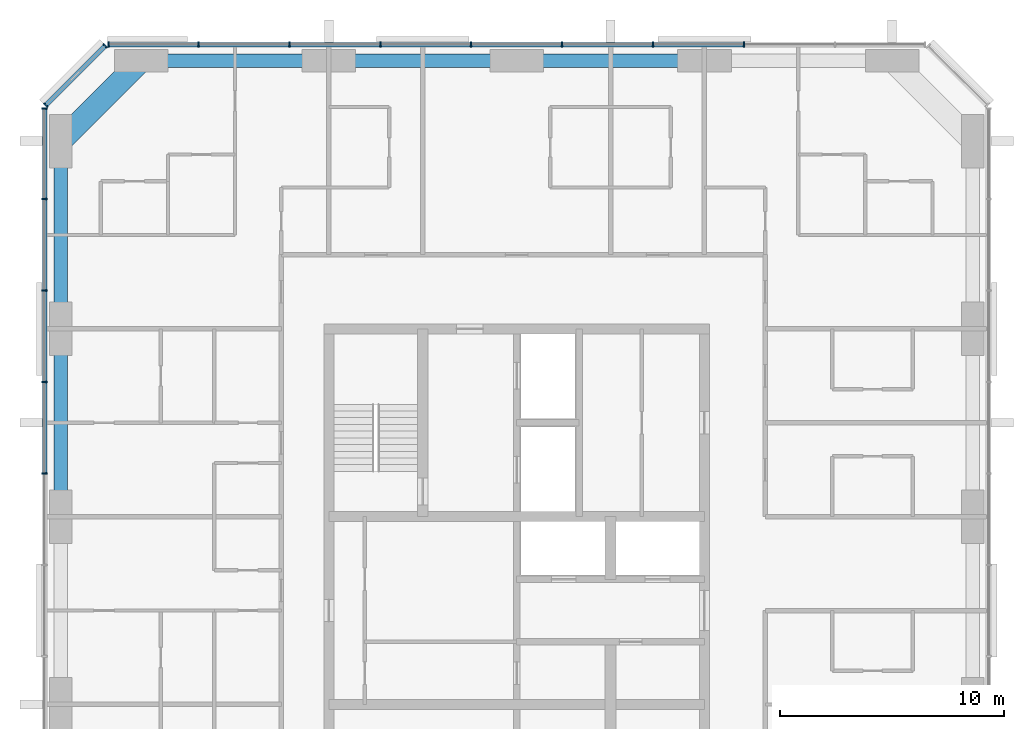
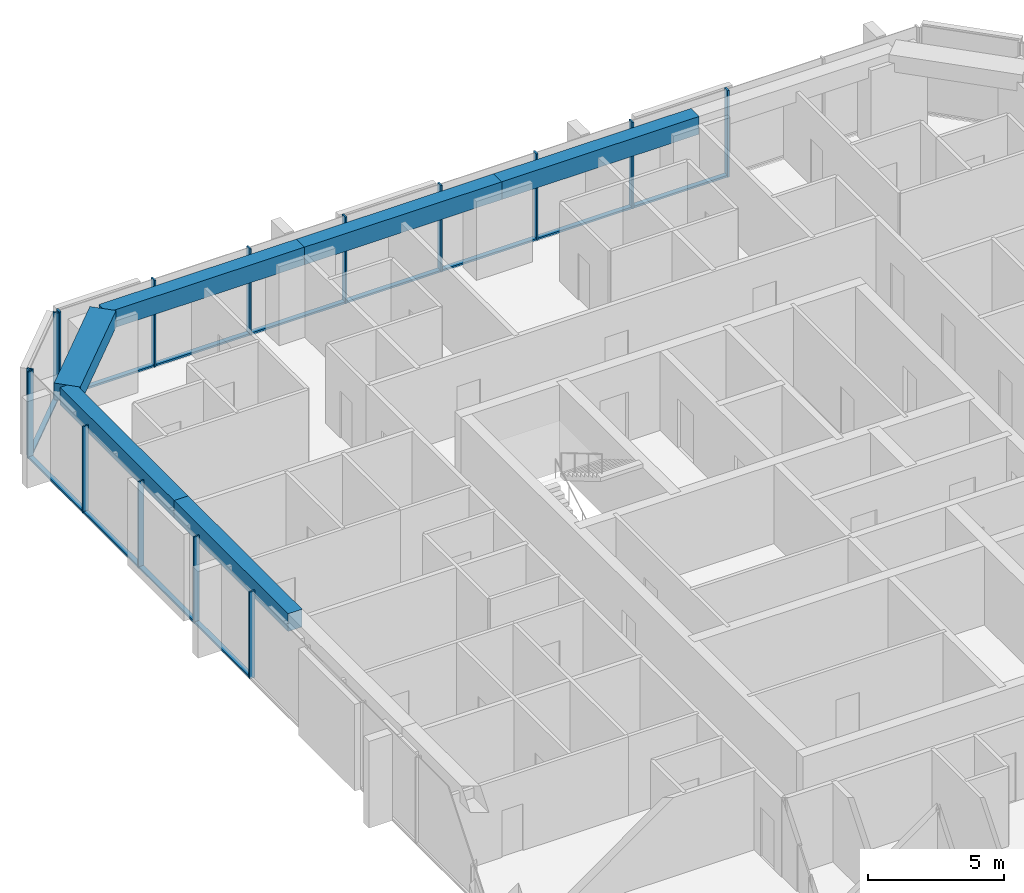
# One storey, part 4 of 12: 27 members, 6 beams, 3 elements without a shape of their own.
"""IFC4 building model written with IfcOpenShell, lengths in metres."""

from ifc_helpers import new_model, si_unit, direction, frame, origin, origin_2d, place, context, subcontext, project, spatial, rectangle, extrude, material, material_profile, profile_set, type_object, element, aggregate, save


model = new_model("IFC4")

# Units and contexts
model_context = context("Model", 3, precision=1e-05, world=origin(), true_north=direction((0.0, 1.0)))
body_context = subcontext(model_context, "Body", "Model", "MODEL_VIEW")
ifc_project = project(units=[si_unit("LENGTHUNIT", "METRE"), si_unit("AREAUNIT", "SQUARE_METRE"), si_unit("VOLUMEUNIT", "CUBIC_METRE"), si_unit("PLANEANGLEUNIT", "RADIAN"), si_unit("MASSUNIT", "GRAM", prefix="KILO")], contexts=[model_context])

# Site, building, storey
site_placement = place(None, origin())
site = spatial("IfcSite", under=ifc_project, at=site_placement, CompositionType="ELEMENT")
building_placement = place(site_placement, origin())
building = spatial("IfcBuilding", under=site, at=building_placement, Name="Dunama Terrace Hotel", CompositionType="ELEMENT")
storey_placement = place(building_placement, frame((0.0, 0.0, 260.699951171875)))
storey = spatial("IfcBuildingStorey", under=building, at=storey_placement, Name="L67", CompositionType="ELEMENT", Elevation=260.699951171875)

# Curtain wall, members
ifc_material_1 = material(Name="Aluminium curtain wall system", Category="aluminium")
curtain_wall_type = type_object("IfcCurtainWallType", Name="Unitised fritted glass wall CW-D", PredefinedType="NOTDEFINED", material=ifc_material_1)
curtain_wall_1_placement = place(storey_placement, origin())
curtain_wall_1 = element("IfcCurtainWall", 1, at=curtain_wall_1_placement, inside=storey, type_object=curtain_wall_type, Name="Unitised fritted glass wall CW-D L67", PredefinedType="NOTDEFINED")
ifc_material_2 = material(Name="Aluminium mullion", Category="aluminium")
ifc_material_profile_1 = material_profile(ifc_material_2, rectangle(XDim=0.070068359375, YDim=0.239990234375, at=origin_2d()), Name="CWD MULLION 70X240")
ifc_profile_set_1 = profile_set([ifc_material_profile_1], Name="Aluminium mullion")
member_type_1 = type_object("IfcMemberType", Name="CWD mullion 70x240", PredefinedType="MULLION", material=ifc_profile_set_1)
member_1_placement = place(storey_placement, frame((43.76708984375, 54.719970703125, 0.0), z_axis=(0.0, 0.0, 1.0), x_axis=(-1.0, 0.0, 0.0)))
member_1 = element("IfcMember", 2, at=member_1_placement, type_object=member_type_1, Name="CWD mullion", PredefinedType="MULLION", context=body_context, shape_type="SweptSolid", body=[
    extrude(rectangle(XDim=0.070068359375, YDim=0.239990234375, at=origin_2d()), origin(), (0.0, 0.0, 1.0), 3.900146484375),
])
member_2_placement = place(storey_placement, frame((39.699951171875, 54.719970703125, 0.0), z_axis=(0.0, 0.0, 1.0), x_axis=(-1.0, 0.0, 0.0)))
member_2 = element("IfcMember", 3, at=member_2_placement, type_object=member_type_1, Name="CWD mullion", PredefinedType="MULLION", context=body_context, shape_type="SweptSolid", body=[
    extrude(rectangle(XDim=0.070068359375, YDim=0.239990234375, at=origin_2d()), origin(), (0.0, 0.0, 1.0), 3.900146484375),
])
member_3_placement = place(storey_placement, frame((35.633056640625, 54.719970703125, 0.0), z_axis=(0.0, 0.0, 1.0), x_axis=(-1.0, 0.0, 0.0)))
member_3 = element("IfcMember", 4, at=member_3_placement, type_object=member_type_1, Name="CWD mullion", PredefinedType="MULLION", context=body_context, shape_type="SweptSolid", body=[
    extrude(rectangle(XDim=0.070068359375, YDim=0.239990234375, at=origin_2d()), origin(), (0.0, 0.0, 1.0), 3.900146484375),
])
member_4_placement = place(storey_placement, frame((31.56689453125, 54.719970703125, 0.0), z_axis=(0.0, 0.0, 1.0), x_axis=(-1.0, 0.0, 0.0)))
member_4 = element("IfcMember", 5, at=member_4_placement, type_object=member_type_1, Name="CWD mullion", PredefinedType="MULLION", context=body_context, shape_type="SweptSolid", body=[
    extrude(rectangle(XDim=0.070068359375, YDim=0.239990234375, at=origin_2d()), origin(), (0.0, 0.0, 1.0), 3.900146484375),
])
member_5_placement = place(storey_placement, frame((27.5, 54.719970703125, 0.0), z_axis=(0.0, 0.0, 1.0), x_axis=(-1.0, 0.0, 0.0)))
member_5 = element("IfcMember", 6, at=member_5_placement, type_object=member_type_1, Name="CWD mullion", PredefinedType="MULLION", context=body_context, shape_type="SweptSolid", body=[
    extrude(rectangle(XDim=0.070068359375, YDim=0.239990234375, at=origin_2d()), origin(), (0.0, 0.0, 1.0), 3.900146484375),
])
member_6_placement = place(storey_placement, frame((23.43310546875, 54.719970703125, 0.0), z_axis=(0.0, 0.0, 1.0), x_axis=(-1.0, 0.0, 0.0)))
member_6 = element("IfcMember", 7, at=member_6_placement, type_object=member_type_1, Name="CWD mullion", PredefinedType="MULLION", context=body_context, shape_type="SweptSolid", body=[
    extrude(rectangle(XDim=0.070068359375, YDim=0.239990234375, at=origin_2d()), origin(), (0.0, 0.0, 1.0), 3.900146484375),
])
member_7_placement = place(storey_placement, frame((19.366943359375, 54.719970703125, 0.0), z_axis=(0.0, 0.0, 1.0), x_axis=(-1.0, 0.0, 0.0)))
member_7 = element("IfcMember", 8, at=member_7_placement, type_object=member_type_1, Name="CWD mullion", PredefinedType="MULLION", context=body_context, shape_type="SweptSolid", body=[
    extrude(rectangle(XDim=0.070068359375, YDim=0.239990234375, at=origin_2d()), origin(), (0.0, 0.0, 1.0), 3.900146484375),
])
member_8_placement = place(storey_placement, frame((15.3349609375, 54.719970703125, 0.0), z_axis=(0.0, 0.0, 1.0), x_axis=(-1.0, 0.0, 0.0)))
member_8 = element("IfcMember", 9, at=member_8_placement, type_object=member_type_1, Name="CWD mullion", PredefinedType="MULLION", context=body_context, shape_type="SweptSolid", body=[
    extrude(rectangle(XDim=0.070068359375, YDim=0.239990234375, at=origin_2d()), origin(), (0.0, 0.0, 1.0), 3.900146484375),
])

curtain_wall_2_placement = place(storey_placement, origin())
curtain_wall_2 = element("IfcCurtainWall", 10, at=curtain_wall_2_placement, inside=storey, type_object=curtain_wall_type, Name="Unitised fritted glass wall CW-D L67", PredefinedType="NOTDEFINED")
member_9_placement = place(storey_placement, frame((15.18994140625, 54.659912109375, 0.0), z_axis=(0.0, 0.0, 1.0), x_axis=(-0.707106781187, -0.707106781187, 0.0)))
member_9 = element("IfcMember", 11, at=member_9_placement, type_object=member_type_1, Name="CWD mullion", PredefinedType="MULLION", context=body_context, shape_type="SweptSolid", body=[
    extrude(rectangle(XDim=0.070068359375, YDim=0.239990234375, at=origin_2d()), origin(), (0.0, 0.0, 1.0), 3.900146484375),
])
member_10_placement = place(storey_placement, frame((12.5400390625, 52.010009765625, 0.0), z_axis=(0.0, 0.0, 1.0), x_axis=(-0.707106781187, -0.707106781187, 0.0)))
member_10 = element("IfcMember", 12, at=member_10_placement, type_object=member_type_1, Name="CWD mullion", PredefinedType="MULLION", context=body_context, shape_type="SweptSolid", body=[
    extrude(rectangle(XDim=0.070068359375, YDim=0.239990234375, at=origin_2d()), origin(), (0.0, 0.0, 1.0), 3.900146484375),
])

curtain_wall_3_placement = place(storey_placement, origin())
curtain_wall_3 = element("IfcCurtainWall", 13, at=curtain_wall_3_placement, inside=storey, type_object=curtain_wall_type, Name="Unitised fritted glass wall CW-D L67", PredefinedType="NOTDEFINED")
member_11_placement = place(storey_placement, frame((12.47998046875, 51.864990234375, 0.0), z_axis=(0.0, 0.0, 1.0), x_axis=(0.0, -1.0, 0.0)))
member_11 = element("IfcMember", 14, at=member_11_placement, type_object=member_type_1, Name="CWD mullion", PredefinedType="MULLION", context=body_context, shape_type="SweptSolid", body=[
    extrude(rectangle(XDim=0.070068359375, YDim=0.239990234375, at=origin_2d()), origin(), (0.0, 0.0, 1.0), 3.900146484375),
])
member_12_placement = place(storey_placement, frame((12.47998046875, 47.80908203125, 0.0), z_axis=(0.0, 0.0, 1.0), x_axis=(0.0, -1.0, 0.0)))
member_12 = element("IfcMember", 15, at=member_12_placement, type_object=member_type_1, Name="CWD mullion", PredefinedType="MULLION", context=body_context, shape_type="SweptSolid", body=[
    extrude(rectangle(XDim=0.070068359375, YDim=0.239990234375, at=origin_2d()), origin(), (0.0, 0.0, 1.0), 3.900146484375),
])
member_13_placement = place(storey_placement, frame((12.47998046875, 43.718017578125, 0.0), z_axis=(0.0, 0.0, 1.0), x_axis=(0.0, -1.0, 0.0)))
member_13 = element("IfcMember", 16, at=member_13_placement, type_object=member_type_1, Name="CWD mullion", PredefinedType="MULLION", context=body_context, shape_type="SweptSolid", body=[
    extrude(rectangle(XDim=0.070068359375, YDim=0.239990234375, at=origin_2d()), origin(), (0.0, 0.0, 1.0), 3.900146484375),
])
member_14_placement = place(storey_placement, frame((12.47998046875, 39.626953125, 0.0), z_axis=(0.0, 0.0, 1.0), x_axis=(0.0, -1.0, 0.0)))
member_14 = element("IfcMember", 17, at=member_14_placement, type_object=member_type_1, Name="CWD mullion", PredefinedType="MULLION", context=body_context, shape_type="SweptSolid", body=[
    extrude(rectangle(XDim=0.070068359375, YDim=0.239990234375, at=origin_2d()), origin(), (0.0, 0.0, 1.0), 3.900146484375),
])
member_15_placement = place(storey_placement, frame((12.47998046875, 35.535888671875, 0.0), z_axis=(0.0, 0.0, 1.0), x_axis=(0.0, -1.0, 0.0)))
member_15 = element("IfcMember", 18, at=member_15_placement, type_object=member_type_1, Name="CWD mullion", PredefinedType="MULLION", context=body_context, shape_type="SweptSolid", body=[
    extrude(rectangle(XDim=0.070068359375, YDim=0.239990234375, at=origin_2d()), origin(), (0.0, 0.0, 1.0), 3.900146484375),
])

# Member
ifc_material_3 = material(Name="Aluminium transom", Category="aluminium")
ifc_material_profile_2 = material_profile(ifc_material_3, rectangle(XDim=0.199951171875, YDim=0.0849609375, at=origin_2d()), Name="CWD TRANSOM 200X85")
ifc_profile_set_2 = profile_set([ifc_material_profile_2], Name="Aluminium transom")
member_type_2 = type_object("IfcMemberType", Name="CWD transom 200x85", PredefinedType="USERDEFINED", material=ifc_profile_set_2)
member_16_placement = place(storey_placement, frame((43.73193359375, 54.719970703125, 0.04248046875), z_axis=(-1.0, 0.0, 0.0), x_axis=(0.0, -1.0, 0.0)))
member_16 = element("IfcMember", 19, at=member_16_placement, type_object=member_type_2, Name="CWD transom", ObjectType="TRANSOM", PredefinedType="USERDEFINED", context=body_context, shape_type="SweptSolid", body=[
    extrude(rectangle(XDim=0.199951171875, YDim=0.0849609375, at=origin_2d()), origin(), (0.0, 0.0, 1.0), 3.996826171875),
])

member_17_placement = place(storey_placement, frame((39.6650390625, 54.719970703125, 0.04248046875), z_axis=(-1.0, 0.0, 0.0), x_axis=(0.0, -1.0, 0.0)))
member_17 = element("IfcMember", 20, at=member_17_placement, type_object=member_type_2, Name="CWD transom", ObjectType="TRANSOM", PredefinedType="USERDEFINED", context=body_context, shape_type="SweptSolid", body=[
    extrude(rectangle(XDim=0.199951171875, YDim=0.0849609375, at=origin_2d()), origin(), (0.0, 0.0, 1.0), 3.9970703125),
])

member_18_placement = place(storey_placement, frame((35.597900390625, 54.719970703125, 0.04248046875), z_axis=(-1.0, 0.0, 0.0), x_axis=(0.0, -1.0, 0.0)))
member_18 = element("IfcMember", 21, at=member_18_placement, type_object=member_type_2, Name="CWD transom", ObjectType="TRANSOM", PredefinedType="USERDEFINED", context=body_context, shape_type="SweptSolid", body=[
    extrude(rectangle(XDim=0.199951171875, YDim=0.0849609375, at=origin_2d()), origin(), (0.0, 0.0, 1.0), 3.995849609375),
])

member_19_placement = place(storey_placement, frame((31.531982421875, 54.719970703125, 0.04248046875), z_axis=(-1.0, 0.0, 0.0), x_axis=(0.0, -1.0, 0.0)))
member_19 = element("IfcMember", 22, at=member_19_placement, type_object=member_type_2, Name="CWD transom", ObjectType="TRANSOM", PredefinedType="USERDEFINED", context=body_context, shape_type="SweptSolid", body=[
    extrude(rectangle(XDim=0.199951171875, YDim=0.0849609375, at=origin_2d()), origin(), (0.0, 0.0, 1.0), 3.9970703125),
])

member_20_placement = place(storey_placement, frame((27.465087890625, 54.719970703125, 0.04248046875), z_axis=(-1.0, 0.0, 0.0), x_axis=(0.0, -1.0, 0.0)))
member_20 = element("IfcMember", 23, at=member_20_placement, type_object=member_type_2, Name="CWD transom", ObjectType="TRANSOM", PredefinedType="USERDEFINED", context=body_context, shape_type="SweptSolid", body=[
    extrude(rectangle(XDim=0.199951171875, YDim=0.0849609375, at=origin_2d()), origin(), (0.0, 0.0, 1.0), 3.9970703125),
])

member_21_placement = place(storey_placement, frame((23.39794921875, 54.719970703125, 0.04248046875), z_axis=(-1.0, 0.0, 0.0), x_axis=(0.0, -1.0, 0.0)))
member_21 = element("IfcMember", 24, at=member_21_placement, type_object=member_type_2, Name="CWD transom", ObjectType="TRANSOM", PredefinedType="USERDEFINED", context=body_context, shape_type="SweptSolid", body=[
    extrude(rectangle(XDim=0.199951171875, YDim=0.0849609375, at=origin_2d()), origin(), (0.0, 0.0, 1.0), 3.995849609375),
])

member_22_placement = place(storey_placement, frame((19.33203125, 54.719970703125, 0.04248046875), z_axis=(-1.0, 0.0, 0.0), x_axis=(0.0, -1.0, 0.0)))
member_22 = element("IfcMember", 25, at=member_22_placement, type_object=member_type_2, Name="CWD transom", ObjectType="TRANSOM", PredefinedType="USERDEFINED", context=body_context, shape_type="SweptSolid", body=[
    extrude(rectangle(XDim=0.199951171875, YDim=0.0849609375, at=origin_2d()), origin(), (0.0, 0.0, 1.0), 3.9619140625),
])

aggregate(curtain_wall_1, [member_1, member_2, member_3, member_4, member_5, member_6, member_7, member_8, member_16, member_17, member_18, member_19, member_20, member_21, member_22])

member_23_placement = place(storey_placement, frame((15.166015625, 54.635009765625, 0.04248046875), z_axis=(-0.707106781187, -0.707106781187, 0.0), x_axis=(0.707106781187, -0.707106781187, 0.0)))
member_23 = element("IfcMember", 26, at=member_23_placement, type_object=member_type_2, Name="CWD transom", ObjectType="TRANSOM", PredefinedType="USERDEFINED", context=body_context, shape_type="SweptSolid", body=[
    extrude(rectangle(XDim=0.199951171875, YDim=0.0849609375, at=origin_2d()), origin(), (0.0, 0.0, 1.0), 3.678466796875),
])

aggregate(curtain_wall_2, [member_9, member_10, member_23])

member_24_placement = place(storey_placement, frame((12.47998046875, 51.830078125, 0.04248046875), z_axis=(0.0, -1.0, 0.0), x_axis=(1.0, 0.0, 0.0)))
member_24 = element("IfcMember", 27, at=member_24_placement, type_object=member_type_2, Name="CWD transom", ObjectType="TRANSOM", PredefinedType="USERDEFINED", context=body_context, shape_type="SweptSolid", body=[
    extrude(rectangle(XDim=0.199951171875, YDim=0.0849609375, at=origin_2d()), origin(), (0.0, 0.0, 1.0), 3.986083984375),
])

member_25_placement = place(storey_placement, frame((12.47998046875, 47.77392578125, 0.04248046875), z_axis=(0.0, -1.0, 0.0), x_axis=(1.0, 0.0, 0.0)))
member_25 = element("IfcMember", 28, at=member_25_placement, type_object=member_type_2, Name="CWD transom", ObjectType="TRANSOM", PredefinedType="USERDEFINED", context=body_context, shape_type="SweptSolid", body=[
    extrude(rectangle(XDim=0.199951171875, YDim=0.0849609375, at=origin_2d()), origin(), (0.0, 0.0, 1.0), 4.02099609375),
])

member_26_placement = place(storey_placement, frame((12.47998046875, 43.68310546875, 0.04248046875), z_axis=(0.0, -1.0, 0.0), x_axis=(1.0, 0.0, 0.0)))
member_26 = element("IfcMember", 29, at=member_26_placement, type_object=member_type_2, Name="CWD transom", ObjectType="TRANSOM", PredefinedType="USERDEFINED", context=body_context, shape_type="SweptSolid", body=[
    extrude(rectangle(XDim=0.199951171875, YDim=0.0849609375, at=origin_2d()), origin(), (0.0, 0.0, 1.0), 4.02099609375),
])

member_27_placement = place(storey_placement, frame((12.47998046875, 39.592041015625, 0.04248046875), z_axis=(0.0, -1.0, 0.0), x_axis=(1.0, 0.0, 0.0)))
member_27 = element("IfcMember", 30, at=member_27_placement, type_object=member_type_2, Name="CWD transom", ObjectType="TRANSOM", PredefinedType="USERDEFINED", context=body_context, shape_type="SweptSolid", body=[
    extrude(rectangle(XDim=0.199951171875, YDim=0.0849609375, at=origin_2d()), origin(), (0.0, 0.0, 1.0), 4.02099609375),
])

aggregate(curtain_wall_3, [member_11, member_12, member_13, member_14, member_15, member_24, member_25, member_26, member_27])

# Beams
ifc_material_4 = material(Name="Concrete C50/60", Category="concrete")
ifc_material_profile_3 = material_profile(ifc_material_4, rectangle(XDim=1.0, YDim=0.75, at=origin_2d()), Name="RC 1000x750")
ifc_profile_set_3 = profile_set([ifc_material_profile_3], Name="Concrete C50/60")
beam_type_1 = type_object("IfcBeamType", Name="Edge beam RC 1000x750", PredefinedType="SPANDREL", material=ifc_profile_set_3)
beam_1_placement = place(storey_placement, frame((16.800048828125, 54.0, 3.525146484375), z_axis=(-0.707106781187, -0.707106781187, 0.0), x_axis=(0.707106781187, -0.707106781187, 0.0)))
element("IfcBeam", 31, at=beam_1_placement, inside=storey, type_object=beam_type_1, Name="Corner edge beam under L68", PredefinedType="SPANDREL", context=body_context, shape_type="SweptSolid", body=[
    extrude(rectangle(XDim=1.0, YDim=0.75, at=origin_2d()), origin(), (0.0, 0.0, 1.0), 5.09130859375),
])
ifc_material_5 = material(Name="Concrete C40/50", Category="concrete")
ifc_material_profile_4 = material_profile(ifc_material_5, rectangle(XDim=0.60009765625, YDim=0.800048828125, at=origin_2d()), Name="RC 600x800")
ifc_profile_set_4 = profile_set([ifc_material_profile_4], Name="Concrete C40/50")
beam_type_2 = type_object("IfcBeamType", Name="Edge beam RC 600x800", PredefinedType="SPANDREL", material=ifc_profile_set_4)
for number, where, z_axis, x_axis, name in (
    (32, (13.199951171875, 33.60009765625, 3.5), (0.0, 1.0, 0.0), (-1.0, 0.0, 0.0), "Edge beam under L68"),
    (33, (13.199951171875, 42.0, 3.5), (0.0, 1.0, 0.0), (-1.0, 0.0, 0.0), "Edge beam under L68"),
    (34, (16.800048828125, 54.0, 3.5), (1.0, 0.0, 0.0), (0.0, 1.0, 0.0), "Edge beam under L68"),
):
    element("IfcBeam", number, at=place(storey_placement, frame(where, z_axis=z_axis, x_axis=x_axis)), inside=storey, type_object=beam_type_2, Name=name, PredefinedType="SPANDREL", context=body_context, shape_type="SweptSolid", body=[
        extrude(rectangle(XDim=0.60009765625, YDim=0.800048828125, at=origin_2d()), origin(), (0.0, 0.0, 1.0), 8.39990234375),
    ])
beam_2_placement = place(storey_placement, frame((25.199951171875, 54.0, 3.5), z_axis=(1.0, 0.0, 0.0), x_axis=(0.0, 1.0, 0.0)))
element("IfcBeam", 35, at=beam_2_placement, inside=storey, type_object=beam_type_2, Name="Edge beam under L68", PredefinedType="SPANDREL", context=body_context, shape_type="SweptSolid", body=[
    extrude(rectangle(XDim=0.60009765625, YDim=0.800048828125, at=origin_2d()), origin(), (0.0, 0.0, 1.0), 8.400146484375),
])
beam_3_placement = place(storey_placement, frame((33.60009765625, 54.0, 3.5), z_axis=(1.0, 0.0, 0.0), x_axis=(0.0, 1.0, 0.0)))
element("IfcBeam", 36, at=beam_3_placement, inside=storey, type_object=beam_type_2, Name="Edge beam under L68", PredefinedType="SPANDREL", context=body_context, shape_type="SweptSolid", body=[
    extrude(rectangle(XDim=0.60009765625, YDim=0.800048828125, at=origin_2d()), origin(), (0.0, 0.0, 1.0), 8.39990234375),
])

save(model, "model.ifc")
